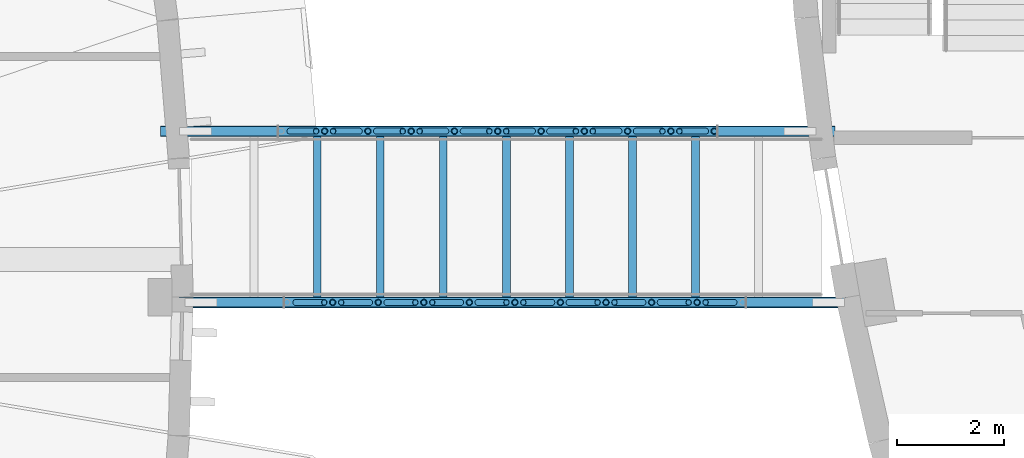
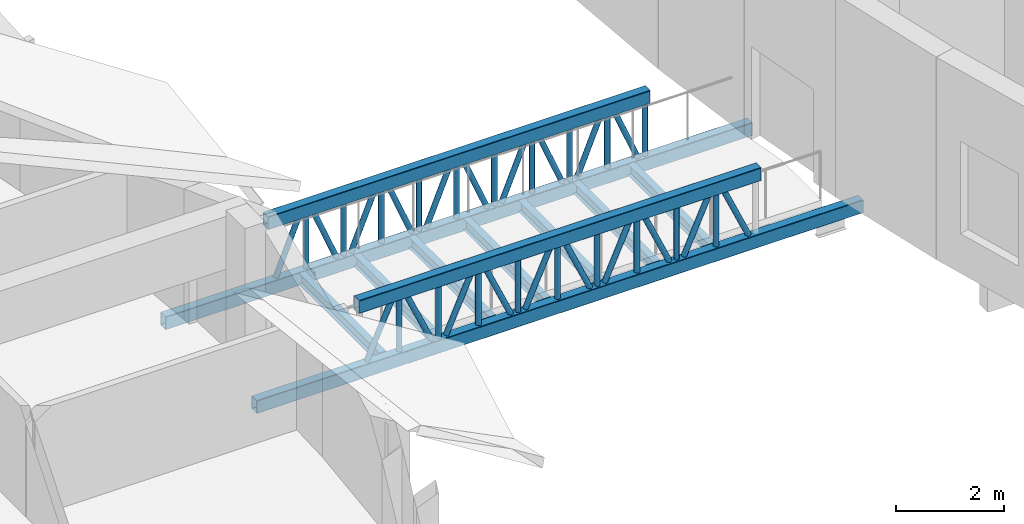
# One storey, part 10 of 56: 43 members, 7 beams.
"""IFC4 building model written with IfcOpenShell, lengths in metres."""

from ifc_helpers import new_model, si_unit, direction, frame, origin, origin_2d, place, context, subcontext, project, spatial, hollow_rectangle, hollow_circle, i_section, extrude, material, material_profile, profile_set, type_object, element, save


model = new_model("IFC4")

# Units and contexts
model_context = context("Model", 3, precision=1e-05, world=origin(), true_north=direction((0.0, 1.0)))
body_context = subcontext(model_context, "Body", "Model", "MODEL_VIEW")
ifc_project = project(units=[si_unit("LENGTHUNIT", "METRE"), si_unit("AREAUNIT", "SQUARE_METRE"), si_unit("VOLUMEUNIT", "CUBIC_METRE"), si_unit("PLANEANGLEUNIT", "RADIAN"), si_unit("MASSUNIT", "GRAM", prefix="KILO")], contexts=[model_context])

# Site, building, storey
site_placement = place(None, origin())
site = spatial("IfcSite", under=ifc_project, at=site_placement, CompositionType="ELEMENT")
building_placement = place(site_placement, origin())
building = spatial("IfcBuilding", under=site, at=building_placement, Name="Tide Square Theatres", CompositionType="ELEMENT")
storey_placement = place(building_placement, frame((0.0, 0.0, 10.199951171875)))
storey = spatial("IfcBuildingStorey", under=building, at=storey_placement, Name="L02", CompositionType="ELEMENT", Elevation=10.199951171875)

# Beams
ifc_material_1 = material(Name="Steel ASTM A572 Grade 50", Category="steel")
ifc_material_profile_1 = material_profile(ifc_material_1, i_section(OverallWidth=0.14599609375, OverallDepth=0.258056640625, WebThickness=0.006103515625, FlangeThickness=0.009033203125, FilletRadius=0.010009765625, at=origin_2d()))
ifc_profile_set_1 = profile_set([ifc_material_profile_1], Name="Steel ASTM A572 Grade 50")
beam_type = type_object("IfcBeamType", Name="Steel beam W 250 x 32.7", PredefinedType="BEAM", material=ifc_profile_set_1)
for number, where, z_axis, x_axis, name in (
    (1, (54.009033203125, 44.5, -0.280029296875), (0.0, 1.0, 0.0), (-1.0, 0.0, 0.0), "Bridge BR-W2 cross beam"),
    (2, (55.1875, 44.5, -0.280029296875), (0.0, 1.0, 0.0), (-1.0, 0.0, 0.0), "Bridge BR-W2 cross beam"),
    (3, (56.36572265625, 44.5, -0.280029296875), (0.0, 1.0, 0.0), (-1.0, 0.0, 0.0), "Bridge BR-W2 cross beam"),
    (4, (57.544189453125, 44.5, -0.280029296875), (0.0, 1.0, 0.0), (-1.0, 0.0, 0.0), "Bridge BR-W2 cross beam"),
    (5, (58.72265625, 44.5, -0.280029296875), (0.0, 1.0, 0.0), (-1.0, 0.0, 0.0), "Bridge BR-W2 cross beam"),
    (6, (59.90087890625, 44.5, -0.280029296875), (0.0, 1.0, 0.0), (-1.0, 0.0, 0.0), "Bridge BR-W2 cross beam"),
    (7, (61.079345703125, 44.5, -0.280029296875), (0.0, 1.0, 0.0), (-1.0, 0.0, 0.0), "Bridge BR-W2 cross beam"),
):
    element("IfcBeam", number, at=place(storey_placement, frame(where, z_axis=z_axis, x_axis=x_axis)), inside=storey, type_object=beam_type, Name=name, PredefinedType="BEAM", context=body_context, shape_type="SweptSolid", body=[
        extrude(i_section(OverallWidth=0.14599609375, OverallDepth=0.258056640625, WebThickness=0.006103515625, FlangeThickness=0.009033203125, FilletRadius=0.010009765625, at=origin_2d()), origin(), (0.0, 0.0, 1.0), 3.0),
    ])

# Members
ifc_material_2 = material(Name="Steel ASTM A500 Grade C", Category="steel")
ifc_material_profile_2 = material_profile(ifc_material_2, hollow_circle(Radius=0.05712890625, WallThickness=0.00634765625, at=origin_2d()))
ifc_profile_set_2 = profile_set([ifc_material_profile_2], Name="Steel ASTM A500 Grade C")
member_type_1 = type_object("IfcMemberType", Name="Steel brace CHS 114.3 x 6.4", PredefinedType="BRACE", material=ifc_profile_set_2)
for number, where, z_axis, x_axis, name in (
    (8, (53.605224609375, 44.39990234375, -0.14990234375), (0.407465473828, 0.0, 0.913220612797), (0.0, 1.0, 0.0), "Bridge BR-W2 diagonal"),
    (9, (54.45654296875, 44.39990234375, 1.050048828125), (0.407310501945, 0.0, -0.913289743184), (0.0, 1.0, 0.0), "Bridge BR-W2 diagonal"),
    (10, (55.307861328125, 44.39990234375, -0.14990234375), (0.407310501945, 0.0, 0.913289743184), (0.0, 1.0, 0.0), "Bridge BR-W2 diagonal"),
    (11, (56.158935546875, 44.39990234375, 1.050048828125), (0.407465473828, 0.0, -0.913220612797), (0.0, 1.0, 0.0), "Bridge BR-W2 diagonal"),
    (12, (57.01025390625, 44.39990234375, -0.14990234375), (0.407465473828, 0.0, 0.913220612797), (0.0, 1.0, 0.0), "Bridge BR-W2 diagonal"),
    (13, (57.861572265625, 44.39990234375, 1.050048828125), (0.407310501945, 0.0, -0.913289743184), (0.0, 1.0, 0.0), "Bridge BR-W2 diagonal"),
    (14, (58.712890625, 44.39990234375, -0.14990234375), (0.407310501945, 0.0, 0.913289743184), (0.0, 1.0, 0.0), "Bridge BR-W2 diagonal"),
    (15, (59.56396484375, 44.39990234375, 1.050048828125), (0.407465473828, 0.0, -0.913220612797), (0.0, 1.0, 0.0), "Bridge BR-W2 diagonal"),
    (16, (60.415283203125, 44.39990234375, -0.14990234375), (0.407465473828, 0.0, 0.913220612797), (0.0, 1.0, 0.0), "Bridge BR-W2 diagonal"),
    (17, (61.2666015625, 44.39990234375, 1.050048828125), (0.407310501945, 0.0, -0.913289743184), (0.0, 1.0, 0.0), "Bridge BR-W2 diagonal"),
):
    element("IfcMember", number, at=place(storey_placement, frame(where, z_axis=z_axis, x_axis=x_axis)), inside=storey, type_object=member_type_1, Name=name, PredefinedType="BRACE", context=body_context, shape_type="SweptSolid", body=[
        extrude(hollow_circle(Radius=0.05712890625, WallThickness=0.00634765625, at=origin_2d()), origin(), (0.0, 0.0, 1.0), 1.31396484375),
    ])
for number, where, z_axis, x_axis, name in (
    (18, (53.496826171875, 47.60009765625, -0.14990234375), (0.379973490035, 0.0, 0.924997376683), (0.0, 1.0, 0.0), "Bridge BR-W2 diagonal"),
    (19, (54.3056640625, 47.60009765625, 1.050048828125), (0.379973490035, 0.0, -0.924997376683), (0.0, 1.0, 0.0), "Bridge BR-W2 diagonal"),
    (20, (55.114501953125, 47.60009765625, -0.14990234375), (0.380134499494, 0.0, 0.924931220305), (0.0, 1.0, 0.0), "Bridge BR-W2 diagonal"),
    (21, (55.923583984375, 47.60009765625, 1.050048828125), (0.379973490035, 0.0, -0.924997376683), (0.0, 1.0, 0.0), "Bridge BR-W2 diagonal"),
    (22, (56.732421875, 47.60009765625, -0.14990234375), (0.379973490035, 0.0, 0.924997376683), (0.0, 1.0, 0.0), "Bridge BR-W2 diagonal"),
    (23, (57.541259765625, 47.60009765625, 1.050048828125), (0.379973490035, 0.0, -0.924997376683), (0.0, 1.0, 0.0), "Bridge BR-W2 diagonal"),
    (24, (58.35009765625, 47.60009765625, -0.14990234375), (0.380134499494, 0.0, 0.924931220305), (0.0, 1.0, 0.0), "Bridge BR-W2 diagonal"),
    (25, (59.1591796875, 47.60009765625, 1.050048828125), (0.379973490035, 0.0, -0.924997376683), (0.0, 1.0, 0.0), "Bridge BR-W2 diagonal"),
    (26, (59.968017578125, 47.60009765625, -0.14990234375), (0.379973490035, 0.0, 0.924997376683), (0.0, 1.0, 0.0), "Bridge BR-W2 diagonal"),
    (27, (60.777099609375, 47.60009765625, 1.050048828125), (0.379973490035, 0.0, -0.924997376683), (0.0, 1.0, 0.0), "Bridge BR-W2 diagonal"),
):
    element("IfcMember", number, at=place(storey_placement, frame(where, z_axis=z_axis, x_axis=x_axis)), inside=storey, type_object=member_type_1, Name=name, PredefinedType="BRACE", context=body_context, shape_type="SweptSolid", body=[
        extrude(hollow_circle(Radius=0.05712890625, WallThickness=0.00634765625, at=origin_2d()), origin(), (0.0, 0.0, 1.0), 1.29736328125),
    ])
ifc_material_3 = material(Name="Steel ASTM A500 Grade C", Category="steel")
ifc_material_profile_3 = material_profile(ifc_material_3, hollow_rectangle(XDim=0.199951171875, YDim=0.300048828125, WallThickness=0.010009765625, InnerFilletRadius=0.010009765625, OuterFilletRadius=0.02001953125, at=origin_2d()))
ifc_profile_set_3 = profile_set([ifc_material_profile_3], Name="Steel ASTM A500 Grade C")
member_type_2 = type_object("IfcMemberType", Name="Steel chord RHS 300 x 200 x 10.0", PredefinedType="CHORD", material=ifc_profile_set_3)
member_1_placement = place(storey_placement, frame((51.190185546875, 44.39990234375, -0.300048828125), z_axis=(1.0, 0.0, 0.0), x_axis=(0.0, 1.0, 0.0)))
element("IfcMember", 28, at=member_1_placement, inside=storey, type_object=member_type_2, Name="Bridge BR-W2 bottom chord", PredefinedType="CHORD", context=body_context, shape_type="SweptSolid", body=[
    extrude(hollow_rectangle(XDim=0.199951171875, YDim=0.300048828125, WallThickness=0.010009765625, InnerFilletRadius=0.010009765625, OuterFilletRadius=0.02001953125, at=origin_2d()), origin(), (0.0, 0.0, 1.0), 13.026611328125),
])
member_2_placement = place(storey_placement, frame((53.39013671875, 44.39990234375, 1.199951171875), z_axis=(1.0, 0.0, 0.0), x_axis=(0.0, 1.0, 0.0)))
element("IfcMember", 29, at=member_2_placement, inside=storey, type_object=member_type_2, Name="Bridge BR-W2 top chord", PredefinedType="CHORD", context=body_context, shape_type="SweptSolid", body=[
    extrude(hollow_rectangle(XDim=0.199951171875, YDim=0.300048828125, WallThickness=0.010009765625, InnerFilletRadius=0.010009765625, OuterFilletRadius=0.02001953125, at=origin_2d()), origin(), (0.0, 0.0, 1.0), 8.626708984375),
])
member_3_placement = place(storey_placement, frame((51.081787109375, 47.60009765625, -0.300048828125), z_axis=(1.0, 0.0, 0.0), x_axis=(0.0, 1.0, 0.0)))
element("IfcMember", 30, at=member_3_placement, inside=storey, type_object=member_type_2, Name="Bridge BR-W2 bottom chord", PredefinedType="CHORD", context=body_context, shape_type="SweptSolid", body=[
    extrude(hollow_rectangle(XDim=0.199951171875, YDim=0.300048828125, WallThickness=0.010009765625, InnerFilletRadius=0.010009765625, OuterFilletRadius=0.02001953125, at=origin_2d()), origin(), (0.0, 0.0, 1.0), 12.603271484375),
])
member_4_placement = place(storey_placement, frame((53.28173828125, 47.60009765625, 1.199951171875), z_axis=(1.0, 0.0, 0.0), x_axis=(0.0, 1.0, 0.0)))
element("IfcMember", 31, at=member_4_placement, inside=storey, type_object=member_type_2, Name="Bridge BR-W2 top chord", PredefinedType="CHORD", context=body_context, shape_type="SweptSolid", body=[
    extrude(hollow_rectangle(XDim=0.199951171875, YDim=0.300048828125, WallThickness=0.010009765625, InnerFilletRadius=0.010009765625, OuterFilletRadius=0.02001953125, at=origin_2d()), origin(), (0.0, 0.0, 1.0), 8.203369140625),
])
ifc_material_4 = material(Name="Steel ASTM A500 Grade C", Category="steel")
ifc_material_profile_4 = material_profile(ifc_material_4, hollow_circle(Radius=0.05712890625, WallThickness=0.00634765625, at=origin_2d()))
ifc_profile_set_4 = profile_set([ifc_material_profile_4], Name="Steel ASTM A500 Grade C")
member_type_3 = type_object("IfcMemberType", Name="Steel strut CHS 114.3 x 6.4", PredefinedType="STRUT", material=ifc_profile_set_4)
for number, where, z_axis, x_axis, name in (
    (32, (54.298583984375, 44.39990234375, -0.14990234375), (0.0, 0.0, 1.0), (1.0, 0.0, 0.0), "Bridge BR-W2 post"),
    (33, (55.14990234375, 44.39990234375, -0.14990234375), (0.0, 0.0, 1.0), (1.0, 0.0, 0.0), "Bridge BR-W2 post"),
    (34, (56.001220703125, 44.39990234375, -0.14990234375), (0.0, 0.0, 1.0), (1.0, 0.0, 0.0), "Bridge BR-W2 post"),
    (35, (56.852294921875, 44.39990234375, -0.14990234375), (0.0, 0.0, 1.0), (1.0, 0.0, 0.0), "Bridge BR-W2 post"),
    (36, (57.70361328125, 44.39990234375, -0.14990234375), (0.0, 0.0, 1.0), (1.0, 0.0, 0.0), "Bridge BR-W2 post"),
    (37, (58.5546875, 44.39990234375, -0.14990234375), (0.0, 0.0, 1.0), (1.0, 0.0, 0.0), "Bridge BR-W2 post"),
    (38, (59.406005859375, 44.39990234375, -0.14990234375), (0.0, 0.0, 1.0), (1.0, 0.0, 0.0), "Bridge BR-W2 post"),
    (39, (60.25732421875, 44.39990234375, -0.14990234375), (0.0, 0.0, 1.0), (1.0, 0.0, 0.0), "Bridge BR-W2 post"),
    (40, (61.1083984375, 44.39990234375, -0.14990234375), (0.0, 0.0, 1.0), (1.0, 0.0, 0.0), "Bridge BR-W2 post"),
    (41, (54.147705078125, 47.60009765625, -0.14990234375), (0.0, 0.0, 1.0), (1.0, 0.0, 0.0), "Bridge BR-W2 post"),
    (42, (54.956787109375, 47.60009765625, -0.14990234375), (0.0, 0.0, 1.0), (1.0, 0.0, 0.0), "Bridge BR-W2 post"),
    (43, (55.765625, 47.60009765625, -0.14990234375), (0.0, 0.0, 1.0), (1.0, 0.0, 0.0), "Bridge BR-W2 post"),
    (44, (56.574462890625, 47.60009765625, -0.14990234375), (0.0, 0.0, 1.0), (1.0, 0.0, 0.0), "Bridge BR-W2 post"),
    (45, (57.38330078125, 47.60009765625, -0.14990234375), (0.0, 0.0, 1.0), (1.0, 0.0, 0.0), "Bridge BR-W2 post"),
    (46, (58.1923828125, 47.60009765625, -0.14990234375), (0.0, 0.0, 1.0), (1.0, 0.0, 0.0), "Bridge BR-W2 post"),
    (47, (59.001220703125, 47.60009765625, -0.14990234375), (0.0, 0.0, 1.0), (1.0, 0.0, 0.0), "Bridge BR-W2 post"),
    (48, (59.81005859375, 47.60009765625, -0.14990234375), (0.0, 0.0, 1.0), (1.0, 0.0, 0.0), "Bridge BR-W2 post"),
    (49, (60.618896484375, 47.60009765625, -0.14990234375), (0.0, 0.0, 1.0), (1.0, 0.0, 0.0), "Bridge BR-W2 post"),
    (50, (61.427978515625, 47.60009765625, -0.14990234375), (0.0, 0.0, 1.0), (1.0, 0.0, 0.0), "Bridge BR-W2 post"),
):
    element("IfcMember", number, at=place(storey_placement, frame(where, z_axis=z_axis, x_axis=x_axis)), inside=storey, type_object=member_type_3, Name=name, PredefinedType="STRUT", context=body_context, shape_type="SweptSolid", body=[
        extrude(hollow_circle(Radius=0.05712890625, WallThickness=0.00634765625, at=origin_2d()), origin(), (0.0, 0.0, 1.0), 1.199951171875),
    ])

save(model, "model.ifc")
